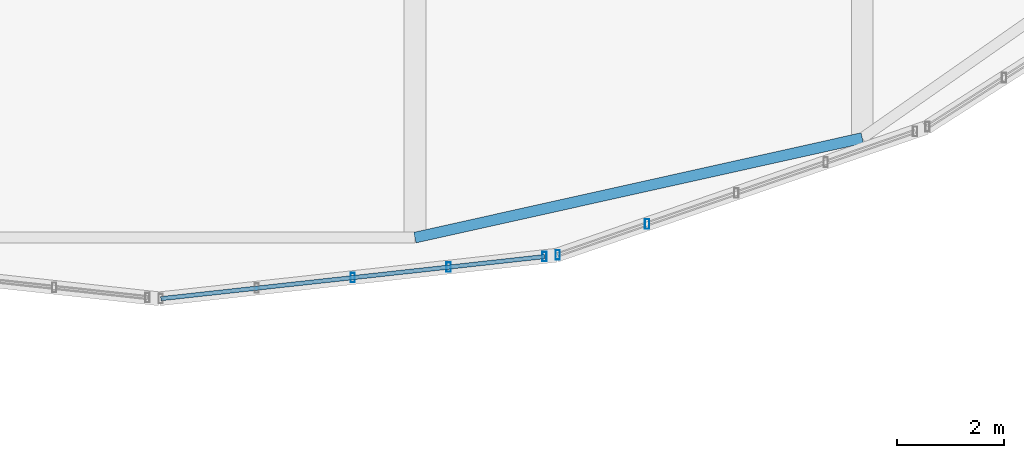
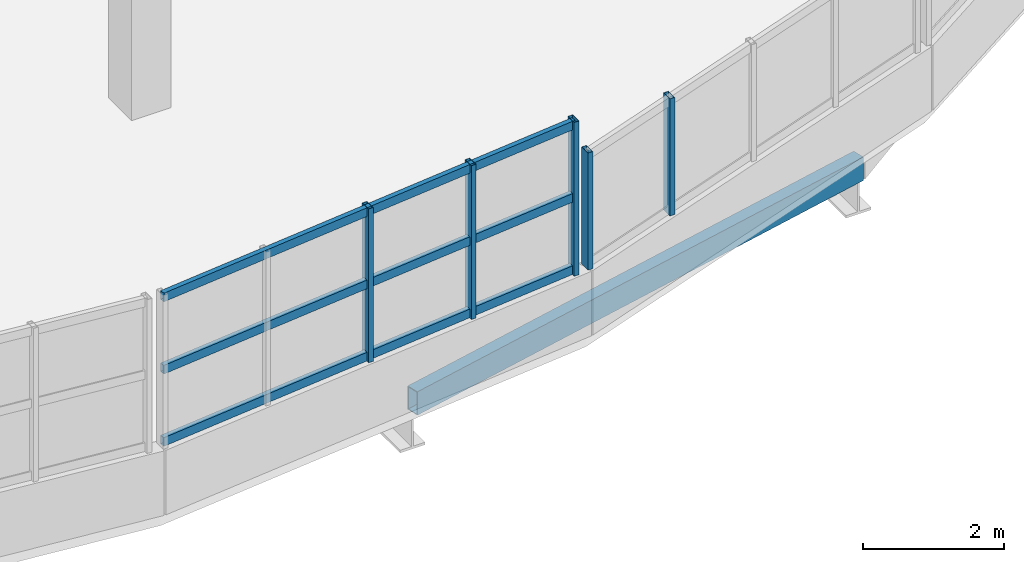
# One storey, part 17 of 50: 8 members, 1 beam, 2 elements without a shape of their own.
"""IFC4 building model written with IfcOpenShell, lengths in metres."""

import ifcopenshell
import ifcopenshell.guid

model = None  # the IFC model being written
_history = None  # IfcOwnerHistory: only IFC2X3 demands one
_inside = {}  # id of a spatial element -> (the spatial element, [elements in it])
_under = {}  # id of a project, library or spatial element -> (it, [spatial elements below it])
_declared = {}  # id of a project -> (the project, [libraries it declares])
_typed = {}  # id of a type object -> (the type object, [elements of that type])
_made_of = {}  # id of a material, layer set ... -> (it, [elements and type objects made of it])


def new_model(schema):
    """Start an empty IFC model of exactly this schema.

    Asked for "IFC4X3", IfcOpenShell would pick the latest addendum, in which some entities
    have other attributes; the version numbers below select the first issue.
    IFC2X3 requires an IfcOwnerHistory on every rooted entity: one is made here for all.
    """
    global model, _history
    if schema == "IFC4X3":
        model = ifcopenshell.file(schema_version=(4, 3, 0, 0))
    else:
        model = ifcopenshell.file(schema=schema)
    _inside.clear()
    _under.clear()
    _declared.clear()
    _typed.clear()
    _made_of.clear()
    _history = None
    if model.schema == "IFC2X3":
        org = make("IfcOrganization", Name="unknown")
        user = make(
            "IfcPersonAndOrganization",
            ThePerson=make("IfcPerson", FamilyName="unknown"),
            TheOrganization=org,
        )
        app = make(
            "IfcApplication",
            ApplicationDeveloper=org,
            Version="unknown",
            ApplicationFullName="unknown",
            ApplicationIdentifier="unknown",
        )
        _history = make(
            "IfcOwnerHistory",
            OwningUser=user,
            OwningApplication=app,
            ChangeAction="ADDED",
            CreationDate=0,
        )
    return model


def make(cls, **values):
    """One entity of the class cls with the attributes given. An attribute that is None is left unset."""
    return model.create_entity(
        cls, **{name: value for name, value in values.items() if value is not None}
    )


def rooted(cls, **values):
    """An entity with a GlobalId (a new one), such as an element, a storey or a relation."""
    return make(cls, GlobalId=ifcopenshell.guid.new(), OwnerHistory=_history, **values)


def si_unit(unit_type, name, prefix=None):
    """IfcSIUnit, for example si_unit("LENGTHUNIT", "METRE", prefix="MILLI")."""
    return make("IfcSIUnit", UnitType=unit_type, Prefix=prefix, Name=name)


def assignment(units):
    """IfcUnitAssignment: the units of a project."""
    return None if units is None else make("IfcUnitAssignment", Units=units)


def point(xyz):
    """IfcCartesianPoint."""
    return None if xyz is None else make("IfcCartesianPoint", Coordinates=xyz)


def direction(xyz):
    """IfcDirection."""
    return None if xyz is None else make("IfcDirection", DirectionRatios=xyz)


def frame(location, z_axis=None, x_axis=None):
    """IfcAxis2Placement3D, a coordinate frame: its origin and axes. An axis left out is left unset."""
    return make(
        "IfcAxis2Placement3D",
        Location=point(location),
        Axis=direction(z_axis),
        RefDirection=direction(x_axis),
    )


def frame_2d(location, x_axis=None):
    """IfcAxis2Placement2D, a coordinate frame in the plane: its origin and x axis."""
    return make(
        "IfcAxis2Placement2D", Location=point(location), RefDirection=direction(x_axis)
    )


def origin():
    """The frame at (0, 0, 0) with its axes left unset."""
    return frame((0.0, 0.0, 0.0))


def origin_2d():
    """The frame at (0, 0) in the plane with its x axis left unset."""
    return frame_2d((0.0, 0.0))


def place(relative_to, where):
    """IfcLocalPlacement: puts the frame where relative to a parent placement (None: the world)."""
    return make(
        "IfcLocalPlacement", PlacementRelTo=relative_to, RelativePlacement=where
    )


def context(
    kind, dimensions, precision=None, world=None, true_north=None, identifier=None
):
    """IfcGeometricRepresentationContext, for example the 3D "Model" context."""
    return make(
        "IfcGeometricRepresentationContext",
        ContextIdentifier=identifier,
        ContextType=kind,
        CoordinateSpaceDimension=dimensions,
        Precision=precision,
        WorldCoordinateSystem=world,
        TrueNorth=true_north,
    )


def subcontext(parent, identifier, kind, view, scale=None):
    """IfcGeometricRepresentationSubContext, for example "Body" below "Model"."""
    return make(
        "IfcGeometricRepresentationSubContext",
        ContextIdentifier=identifier,
        ContextType=kind,
        ParentContext=parent,
        TargetScale=scale,
        TargetView=view,
    )


def project(units=None, contexts=None):
    """IfcProject with its units and contexts."""
    return rooted(
        "IfcProject",
        Name="project",
        RepresentationContexts=contexts,
        UnitsInContext=assignment(units),
    )


def spatial(cls, under=None, at=None, **own):
    """A site, building, storey or space (cls), placed at a placement, below another one or the project."""
    s = rooted(cls, ObjectPlacement=at, **own)
    if under is not None:
        _under.setdefault(under.id(), (under, []))[1].append(s)
    return s


def profile(cls, at=None, kind="AREA", **sizes):
    """A parametric profile (cls). Its sizes go by their IFC names, for example OverallWidth=200.0."""
    return make(cls, ProfileType=kind, Position=at, **sizes)


def hollow_rectangle(**sizes):
    """IfcRectangleHollowProfileDef."""
    return profile("IfcRectangleHollowProfileDef", **sizes)


def extrude(swept, where, along, depth):
    """IfcExtrudedAreaSolid: the profile swept, set in the frame where, extruded along a direction by depth."""
    return make(
        "IfcExtrudedAreaSolid",
        SweptArea=swept,
        Position=where,
        ExtrudedDirection=direction(along),
        Depth=depth,
    )


def shape(context_of_items, identifier, shape_type, items):
    """IfcShapeRepresentation: the items that make up one representation, for example the "Body"."""
    return make(
        "IfcShapeRepresentation",
        ContextOfItems=context_of_items,
        RepresentationIdentifier=identifier,
        RepresentationType=shape_type,
        Items=items,
    )


def material(Name=None, Category=None):
    """IfcMaterial."""
    return make("IfcMaterial", Name=Name, Category=Category)


def material_profile(
    of_material, cross_section, Name=None, Category=None, Priority=None
):
    """IfcMaterialProfile: a cross section and its material."""
    return make(
        "IfcMaterialProfile",
        Name=Name,
        Material=of_material,
        Profile=cross_section,
        Priority=Priority,
        Category=Category,
    )


def profile_set(profiles, Name=None, composite=None):
    """IfcMaterialProfileSet."""
    return make(
        "IfcMaterialProfileSet",
        Name=Name,
        MaterialProfiles=profiles,
        CompositeProfile=composite,
    )


def made_of(thing, what):
    """Note that an element or type object is made of a material, layer set ...; save() writes the relation."""
    if what is not None:
        _made_of.setdefault(what.id(), (what, []))[1].append(thing)
    return thing


def type_object(cls, material=None, **own):
    """A type object (cls), such as IfcWallType, which elements share."""
    return made_of(rooted(cls, **own), material)


def element(
    cls,
    number,
    at=None,
    inside=None,
    cuts=None,
    type_object=None,
    material=None,
    context=None,
    identifier="Body",
    shape_type=None,
    held_by="IfcProductDefinitionShape",
    body=None,
    shapes=None,
    **own,
):
    """One element of the class cls, such as IfcWall. Its Tag is "e" and its number.

    at: its placement. inside: the storey or other place that contains it. cuts: it is an
    opening in that element (IfcRelVoidsElement). A single representation is given by context,
    identifier, shape_type and body (its items); several are given by shapes. held_by: the class
    of the entity that holds the representations. save() writes the other relations.
    """
    e = rooted(cls, Tag="e%d" % number, ObjectPlacement=at, **own)
    if body is not None:
        shapes = [shape(context, identifier, shape_type, body)]
    if shapes is not None:
        e.Representation = make(held_by, Representations=shapes)
    if inside is not None:
        _inside.setdefault(inside.id(), (inside, []))[1].append(e)
    if cuts is not None:
        rooted(
            "IfcRelVoidsElement", RelatingBuildingElement=cuts, RelatedOpeningElement=e
        )
    if type_object is not None:
        _typed.setdefault(type_object.id(), (type_object, []))[1].append(e)
    return made_of(e, material)


def aggregate(whole, parts):
    """IfcRelAggregates: a whole, such as a stair, and the parts it consists of."""
    return rooted("IfcRelAggregates", RelatingObject=whole, RelatedObjects=parts)


def save(model, path):
    """Write the relations noted so far, then the file.

    IfcRelAggregates (storeys below a building ...), IfcRelContainedInSpatialStructure (elements
    in a storey), IfcRelDefinesByType, IfcRelAssociatesMaterial and IfcRelDeclares: one each for
    every whole, place, type object, material and project.
    """
    for whole, parts in _under.values():
        aggregate(whole, parts)
    for where, things in _inside.values():
        rooted(
            "IfcRelContainedInSpatialStructure",
            RelatedElements=things,
            RelatingStructure=where,
        )
    for kind, things in _typed.values():
        rooted("IfcRelDefinesByType", RelatedObjects=things, RelatingType=kind)
    for what, things in _made_of.values():
        rooted("IfcRelAssociatesMaterial", RelatedObjects=things, RelatingMaterial=what)
    for by, libraries in _declared.values():
        rooted("IfcRelDeclares", RelatingContext=by, RelatedDefinitions=libraries)
    model.write(path)


model = new_model("IFC4")

# Units and contexts
model_context = context("Model", 3, precision=1e-05, world=origin(), true_north=direction((0.0, 1.0)))
body_context = subcontext(model_context, "Body", "Model", "MODEL_VIEW")
ifc_project = project(units=[si_unit("LENGTHUNIT", "METRE"), si_unit("AREAUNIT", "SQUARE_METRE"), si_unit("VOLUMEUNIT", "CUBIC_METRE"), si_unit("PLANEANGLEUNIT", "RADIAN"), si_unit("MASSUNIT", "GRAM", prefix="KILO")], contexts=[model_context])

# Site, building, storey
site_placement = place(None, origin())
site = spatial("IfcSite", under=ifc_project, at=site_placement, CompositionType="ELEMENT")
building_placement = place(site_placement, origin())
building = spatial("IfcBuilding", under=site, at=building_placement, Name="Solvento Point Concert Hall", CompositionType="ELEMENT")
storey_placement = place(building_placement, frame((0.0, 0.0, 15.0)))
storey = spatial("IfcBuildingStorey", under=building, at=storey_placement, Name="L03", CompositionType="ELEMENT", Elevation=15.0)

# Curtain wall, members
ifc_material_1 = material(Name="Anodized Bronze Aluminium", Category="aluminium")
curtain_wall_type = type_object("IfcCurtainWallType", Name="CurtainWall_RingRibbon_L03_04", PredefinedType="USERDEFINED", material=ifc_material_1)
curtain_wall_1_placement = place(storey_placement, origin())
curtain_wall_1 = element("IfcCurtainWall", 1, at=curtain_wall_1_placement, inside=storey, type_object=curtain_wall_type, Name="Unitised curtain wall CW-31 UCW-L03-206", ObjectType="UNITISED CURTAIN WALL", PredefinedType="USERDEFINED")
ifc_material_2 = material(Name="Anodized Bronze Aluminium", Category="aluminium")
ifc_material_profile_1 = material_profile(ifc_material_2, hollow_rectangle(XDim=0.080078125, YDim=0.179931640625, WallThickness=0.00390625, at=origin_2d()), Name="CW-MUL-80X180")
ifc_profile_set_1 = profile_set([ifc_material_profile_1], Name="Anodized Bronze Aluminium")
member_type_1 = type_object("IfcMemberType", Name="Mullion_80x180", PredefinedType="MULLION", material=ifc_profile_set_1)
member_1_placement = place(storey_placement, frame((70.35986328125, 9.506591796875, 1.1201171875), z_axis=(0.0, 0.0, 1.0), x_axis=(1.0, 0.0, 0.0)))
member_1 = element("IfcMember", 2, at=member_1_placement, type_object=member_type_1, Name="Curtain wall mullion ML-01", PredefinedType="MULLION", context=body_context, shape_type="SweptSolid", body=[
    extrude(hollow_rectangle(XDim=0.080078125, YDim=0.179931640625, WallThickness=0.00390625, at=origin_2d()), origin(), (0.0, 0.0, 1.0), 2.031982421875),
])
member_2_placement = place(storey_placement, frame((68.682373046875, 8.927490234375, 1.1201171875), z_axis=(0.0, 0.0, 1.0), x_axis=(1.0, 0.0, 0.0)))
member_2 = element("IfcMember", 3, at=member_2_placement, type_object=member_type_1, Name="Curtain wall mullion ML-01", PredefinedType="MULLION", context=body_context, shape_type="SweptSolid", body=[
    extrude(hollow_rectangle(XDim=0.080078125, YDim=0.179931640625, WallThickness=0.00390625, at=origin_2d()), origin(), (0.0, 0.0, 1.0), 2.031982421875),
])
aggregate(curtain_wall_1, [member_1, member_2])

curtain_wall_2_placement = place(storey_placement, origin())
curtain_wall_2 = element("IfcCurtainWall", 4, at=curtain_wall_2_placement, inside=storey, type_object=curtain_wall_type, Name="Unitised curtain wall CW-31 UCW-L03-207", ObjectType="UNITISED CURTAIN WALL", PredefinedType="USERDEFINED")
member_3_placement = place(storey_placement, frame((68.435302734375, 8.893798828125, 1.1201171875), z_axis=(0.0, 0.0, 1.0), x_axis=(1.0, 0.0, 0.0)))
member_3 = element("IfcMember", 5, at=member_3_placement, type_object=member_type_1, Name="Curtain wall mullion ML-01", PredefinedType="MULLION", context=body_context, shape_type="SweptSolid", body=[
    extrude(hollow_rectangle(XDim=0.080078125, YDim=0.179931640625, WallThickness=0.00390625, at=origin_2d()), origin(), (0.0, 0.0, 1.0), 2.66748046875),
])
member_4_placement = place(storey_placement, frame((66.6337890625, 8.6962890625, 1.1201171875), z_axis=(0.0, 0.0, 1.0), x_axis=(1.0, 0.0, 0.0)))
member_4 = element("IfcMember", 6, at=member_4_placement, type_object=member_type_1, Name="Curtain wall mullion ML-01", PredefinedType="MULLION", context=body_context, shape_type="SweptSolid", body=[
    extrude(hollow_rectangle(XDim=0.080078125, YDim=0.179931640625, WallThickness=0.00390625, at=origin_2d()), origin(), (0.0, 0.0, 1.0), 2.66748046875),
])
member_5_placement = place(storey_placement, frame((64.83251953125, 8.49853515625, 1.1201171875), z_axis=(0.0, 0.0, 1.0), x_axis=(1.0, 0.0, 0.0)))
member_5 = element("IfcMember", 7, at=member_5_placement, type_object=member_type_1, Name="Curtain wall mullion ML-01", PredefinedType="MULLION", context=body_context, shape_type="SweptSolid", body=[
    extrude(hollow_rectangle(XDim=0.080078125, YDim=0.179931640625, WallThickness=0.00390625, at=origin_2d()), origin(), (0.0, 0.0, 1.0), 2.66748046875),
])

# Beam
ifc_material_3 = material(Name="Structural Steel ASTM A500 Grade C", Category="steel")
ifc_material_profile_2 = material_profile(ifc_material_3, hollow_rectangle(XDim=0.203125, YDim=0.406494140625, WallThickness=0.01171875, at=origin_2d()), Name="HSS16X8X1/2")
ifc_profile_set_2 = profile_set([ifc_material_profile_2], Name="Structural Steel ASTM A500 Grade C")
beam_type = type_object("IfcBeamType", Name="RingBeam_HSS16X8", PredefinedType="SPANDREL", material=ifc_profile_set_2)
beam_placement = place(storey_placement, frame((66.0, 9.25, -0.46728515625), z_axis=(0.976119591089, 0.217233846102, 0.0), x_axis=(-0.217233846102, 0.976119591089, 0.0)))
element("IfcBeam", 8, at=beam_placement, inside=storey, type_object=beam_type, Name="Elliptical perimeter ring beam RB-01 L03", PredefinedType="SPANDREL", context=body_context, shape_type="SweptSolid", body=[
    extrude(hollow_rectangle(XDim=0.203125, YDim=0.406494140625, WallThickness=0.01171875, at=origin_2d()), origin(), (0.0, 0.0, 1.0), 8.60546875),
])

# Member
ifc_material_4 = material(Name="Anodized Bronze Aluminium", Category="aluminium")
ifc_material_profile_3 = material_profile(ifc_material_4, hollow_rectangle(XDim=0.080078125, YDim=0.14990234375, WallThickness=0.00390625, at=origin_2d()), Name="CW-TRN-80X150")
ifc_profile_set_3 = profile_set([ifc_material_profile_3], Name="Anodized Bronze Aluminium")
member_type_2 = type_object("IfcMemberType", Name="Transom_80x150", PredefinedType="USERDEFINED", material=ifc_profile_set_3)
member_6_placement = place(storey_placement, frame((68.435302734375, 8.893798828125, 1.199951171875), z_axis=(-0.994035576175, -0.109056285006, 0.0), x_axis=(0.109056285006, -0.994035576175, 0.0)))
member_6 = element("IfcMember", 9, at=member_6_placement, type_object=member_type_2, Name="Curtain wall transom TR-01", ObjectType="TRANSOM", PredefinedType="USERDEFINED", context=body_context, shape_type="SweptSolid", body=[
    extrude(hollow_rectangle(XDim=0.080078125, YDim=0.14990234375, WallThickness=0.00390625, at=origin_2d()), origin(), (0.0, 0.0, 1.0), 7.248779296875),
])

member_7_placement = place(storey_placement, frame((68.435302734375, 8.893798828125, 2.453857421875), z_axis=(-0.994035576175, -0.109056285006, 0.0), x_axis=(0.109056285006, -0.994035576175, 0.0)))
member_7 = element("IfcMember", 10, at=member_7_placement, type_object=member_type_2, Name="Curtain wall transom TR-01", ObjectType="TRANSOM", PredefinedType="USERDEFINED", context=body_context, shape_type="SweptSolid", body=[
    extrude(hollow_rectangle(XDim=0.080078125, YDim=0.14990234375, WallThickness=0.00390625, at=origin_2d()), origin(), (0.0, 0.0, 1.0), 7.248779296875),
])

member_8_placement = place(storey_placement, frame((68.435302734375, 8.893798828125, 3.70751953125), z_axis=(-0.994035576175, -0.109056285006, 0.0), x_axis=(0.109056285006, -0.994035576175, 0.0)))
member_8 = element("IfcMember", 11, at=member_8_placement, type_object=member_type_2, Name="Curtain wall transom TR-01", ObjectType="TRANSOM", PredefinedType="USERDEFINED", context=body_context, shape_type="SweptSolid", body=[
    extrude(hollow_rectangle(XDim=0.080078125, YDim=0.14990234375, WallThickness=0.00390625, at=origin_2d()), origin(), (0.0, 0.0, 1.0), 7.248779296875),
])

aggregate(curtain_wall_2, [member_3, member_4, member_5, member_6, member_7, member_8])

save(model, "model.ifc")
